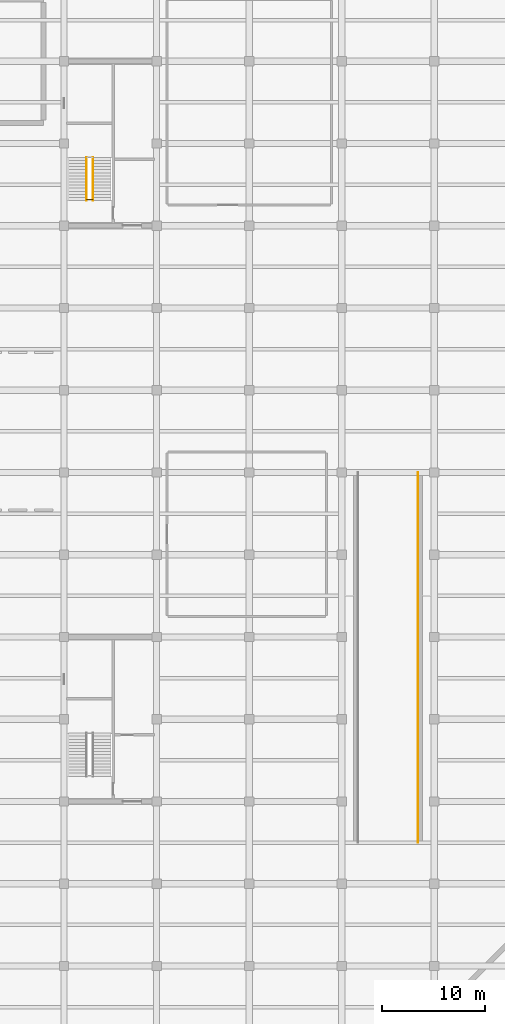
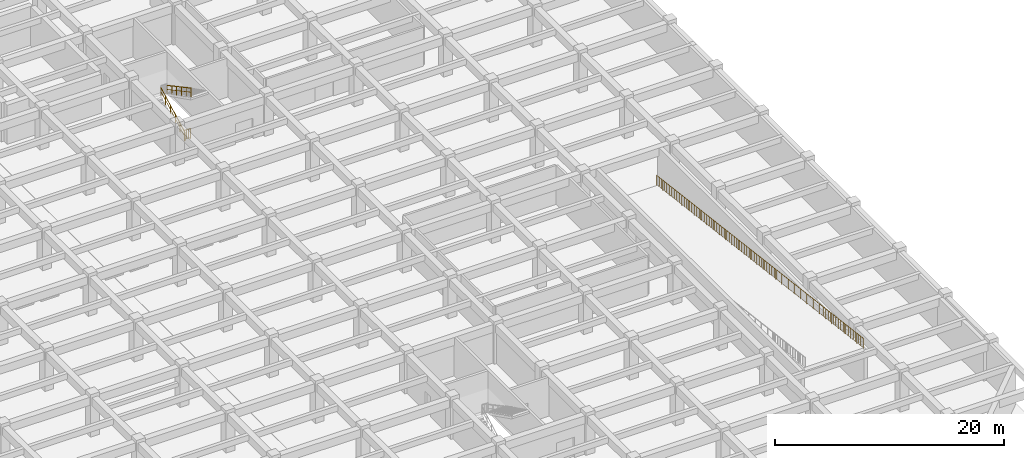
# One storey, part 25 of 26: 4 railings.
"""IFC4 building model written with IfcOpenShell, lengths in metres."""

from ifc_helpers import new_model, si_unit, direction, frame, origin, origin_2d, place, context, subcontext, project, spatial, circle, extrude, material, layer, layer_set, type_object, element, save


model = new_model("IFC4")

# Units and contexts
model_context = context("Model", 3, precision=1e-05, world=origin(), true_north=direction((0.0, 1.0)))
body_context = subcontext(model_context, "Body", "Model", "MODEL_VIEW")
ifc_project = project(units=[si_unit("LENGTHUNIT", "METRE"), si_unit("AREAUNIT", "SQUARE_METRE"), si_unit("VOLUMEUNIT", "CUBIC_METRE"), si_unit("PLANEANGLEUNIT", "RADIAN"), si_unit("MASSUNIT", "GRAM", prefix="KILO")], contexts=[model_context])

# Site, building, storey
site_placement = place(None, origin())
site = spatial("IfcSite", under=ifc_project, at=site_placement, CompositionType="ELEMENT")
building_placement = place(site_placement, origin())
building = spatial("IfcBuilding", under=site, at=building_placement, Name="Zaverband Oceanarium and Marine Research Institute", CompositionType="ELEMENT")
storey_placement = place(building_placement, frame((0.0, 0.0, -4.5)))
storey = spatial("IfcBuildingStorey", under=building, at=storey_placement, Name="B1", CompositionType="ELEMENT", Elevation=-4.5)

# Railings
ifc_material = material(Name="Steel S355", Category="steel")
ifc_layer_1 = layer(ifc_material, 0.06005859375, Name="Steel S355")
ifc_layer_set_1 = layer_set([ifc_layer_1], Name="Steel S355")
railing_type_1 = type_object("IfcRailingType", Name="GRD-1100", PredefinedType="BALUSTRADE", material=ifc_layer_set_1)
railing_1_placement = place(storey_placement, frame((137.18994140625, 82.530029296875, 0.0)))
element("IfcRailing", 1, at=railing_1_placement, inside=storey, type_object=railing_type_1, Name="1100 mm steel post-and-baluster safety guard GRD-1100", PredefinedType="BALUSTRADE", context=body_context, shape_type="SweptSolid", body=[
    extrude(circle(Radius=0.02392578125, at=origin_2d()), frame((0.0, 0.0, 1.076171875), z_axis=(1.0, 0.0, 0.0), x_axis=(0.0, 1.0, 0.0)), (0.0, 0.0, 1.0), 0.6201171875),
    extrude(circle(Radius=0.009033203125, at=origin_2d()), frame((0.0, 0.0, 0.10009765625), z_axis=(1.0, 0.0, 0.0), x_axis=(0.0, 1.0, 0.0)), (0.0, 0.0, 1.0), 0.6201171875),
    extrude(circle(Radius=0.009033203125, at=origin_2d()), frame((0.206787109375, 0.0, 0.10009765625)), (0.0, 0.0, 1.0), 0.951904296875),
    extrude(circle(Radius=0.009033203125, at=origin_2d()), frame((0.413330078125, 0.0, 0.10009765625)), (0.0, 0.0, 1.0), 0.951904296875),
    extrude(circle(Radius=0.02099609375, at=origin_2d()), origin(), (0.0, 0.0, 1.0), 1.052001953125),
    extrude(circle(Radius=0.02099609375, at=origin_2d()), frame((0.6201171875, 0.0, 0.0)), (0.0, 0.0, 1.0), 1.052001953125),
])
railing_2_placement = place(storey_placement, frame((169.419921875, 56.0, 0.0)))
element("IfcRailing", 2, at=railing_2_placement, inside=storey, type_object=railing_type_1, Name="1100 mm steel post-and-baluster safety guard GRD-1100", PredefinedType="BALUSTRADE", context=body_context, shape_type="SweptSolid", body=[
    extrude(circle(Radius=0.02392578125, at=origin_2d()), frame((0.0, 0.0, 1.076171875), z_axis=(0.0, -0.992277876714, 0.124034734589), x_axis=(1.0, 0.0, 0.0)), (0.0, 0.0, 1.0), 36.2802734375),
    extrude(circle(Radius=0.009033203125, at=origin_2d()), frame((0.0, 0.0, 0.10009765625), z_axis=(0.0, -0.992277876714, 0.124034734589), x_axis=(1.0, 0.0, 0.0)), (0.0, 0.0, 1.0), 36.2802734375),
    extrude(circle(Radius=0.009033203125, at=origin_2d()), frame((0.0, -0.21826171875, 0.12744140625)), (0.0, 0.0, 1.0), 0.951904296875),
    extrude(circle(Radius=0.009033203125, at=origin_2d()), frame((0.0, -0.436279296875, 0.154541015625)), (0.0, 0.0, 1.0), 0.951904296875),
    extrude(circle(Radius=0.009033203125, at=origin_2d()), frame((0.0, -0.654541015625, 0.181884765625)), (0.0, 0.0, 1.0), 0.951904296875),
    extrude(circle(Radius=0.009033203125, at=origin_2d()), frame((0.0, -0.872802734375, 0.209228515625)), (0.0, 0.0, 1.0), 0.951904296875),
    extrude(circle(Radius=0.009033203125, at=origin_2d()), frame((0.0, -1.0908203125, 0.236572265625)), (0.0, 0.0, 1.0), 0.951904296875),
    extrude(circle(Radius=0.009033203125, at=origin_2d()), frame((0.0, -1.30908203125, 0.263671875)), (0.0, 0.0, 1.0), 0.951904296875),
    extrude(circle(Radius=0.009033203125, at=origin_2d()), frame((0.0, -1.52734375, 0.291015625)), (0.0, 0.0, 1.0), 0.951904296875),
    extrude(circle(Radius=0.009033203125, at=origin_2d()), frame((0.0, -1.745361328125, 0.318359375)), (0.0, 0.0, 1.0), 0.951904296875),
    extrude(circle(Radius=0.009033203125, at=origin_2d()), frame((0.0, -1.963623046875, 0.345458984375)), (0.0, 0.0, 1.0), 0.951904296875),
    extrude(circle(Radius=0.009033203125, at=origin_2d()), frame((0.0, -2.181884765625, 0.372802734375)), (0.0, 0.0, 1.0), 0.951904296875),
    extrude(circle(Radius=0.009033203125, at=origin_2d()), frame((0.0, -2.39990234375, 0.400146484375)), (0.0, 0.0, 1.0), 0.951904296875),
    extrude(circle(Radius=0.009033203125, at=origin_2d()), frame((0.0, -2.6181640625, 0.427490234375)), (0.0, 0.0, 1.0), 0.951904296875),
    extrude(circle(Radius=0.009033203125, at=origin_2d()), frame((0.0, -2.83642578125, 0.45458984375)), (0.0, 0.0, 1.0), 0.951904296875),
    extrude(circle(Radius=0.009033203125, at=origin_2d()), frame((0.0, -3.054443359375, 0.48193359375)), (0.0, 0.0, 1.0), 0.951904296875),
    extrude(circle(Radius=0.009033203125, at=origin_2d()), frame((0.0, -3.272705078125, 0.50927734375)), (0.0, 0.0, 1.0), 0.951904296875),
    extrude(circle(Radius=0.009033203125, at=origin_2d()), frame((0.0, -3.490966796875, 0.536376953125)), (0.0, 0.0, 1.0), 0.951904296875),
    extrude(circle(Radius=0.009033203125, at=origin_2d()), frame((0.0, -3.708984375, 0.563720703125)), (0.0, 0.0, 1.0), 0.951904296875),
    extrude(circle(Radius=0.009033203125, at=origin_2d()), frame((0.0, -3.92724609375, 0.591064453125)), (0.0, 0.0, 1.0), 0.951904296875),
    extrude(circle(Radius=0.009033203125, at=origin_2d()), frame((0.0, -4.1455078125, 0.6181640625)), (0.0, 0.0, 1.0), 0.951904296875),
    extrude(circle(Radius=0.009033203125, at=origin_2d()), frame((0.0, -4.363525390625, 0.6455078125)), (0.0, 0.0, 1.0), 0.951904296875),
    extrude(circle(Radius=0.009033203125, at=origin_2d()), frame((0.0, -4.581787109375, 0.6728515625)), (0.0, 0.0, 1.0), 0.951904296875),
    extrude(circle(Radius=0.009033203125, at=origin_2d()), frame((0.0, -4.800048828125, 0.7001953125)), (0.0, 0.0, 1.0), 0.951904296875),
    extrude(circle(Radius=0.009033203125, at=origin_2d()), frame((0.0, -5.01806640625, 0.727294921875)), (0.0, 0.0, 1.0), 0.951904296875),
    extrude(circle(Radius=0.009033203125, at=origin_2d()), frame((0.0, -5.236328125, 0.754638671875)), (0.0, 0.0, 1.0), 0.951904296875),
    extrude(circle(Radius=0.009033203125, at=origin_2d()), frame((0.0, -5.45458984375, 0.781982421875)), (0.0, 0.0, 1.0), 0.951904296875),
    extrude(circle(Radius=0.009033203125, at=origin_2d()), frame((0.0, -5.672607421875, 0.80908203125)), (0.0, 0.0, 1.0), 0.951904296875),
    extrude(circle(Radius=0.009033203125, at=origin_2d()), frame((0.0, -5.890869140625, 0.83642578125)), (0.0, 0.0, 1.0), 0.951904296875),
    extrude(circle(Radius=0.009033203125, at=origin_2d()), frame((0.0, -6.109130859375, 0.86376953125)), (0.0, 0.0, 1.0), 0.951904296875),
    extrude(circle(Radius=0.009033203125, at=origin_2d()), frame((0.0, -6.327392578125, 0.89111328125)), (0.0, 0.0, 1.0), 0.951904296875),
    extrude(circle(Radius=0.009033203125, at=origin_2d()), frame((0.0, -6.54541015625, 0.918212890625)), (0.0, 0.0, 1.0), 0.951904296875),
    extrude(circle(Radius=0.009033203125, at=origin_2d()), frame((0.0, -6.763671875, 0.945556640625)), (0.0, 0.0, 1.0), 0.951904296875),
    extrude(circle(Radius=0.009033203125, at=origin_2d()), frame((0.0, -6.98193359375, 0.972900390625)), (0.0, 0.0, 1.0), 0.951904296875),
    extrude(circle(Radius=0.009033203125, at=origin_2d()), frame((0.0, -7.199951171875, 1.0)), (0.0, 0.0, 1.0), 0.951904296875),
    extrude(circle(Radius=0.009033203125, at=origin_2d()), frame((0.0, -7.418212890625, 1.02734375)), (0.0, 0.0, 1.0), 0.951904296875),
    extrude(circle(Radius=0.009033203125, at=origin_2d()), frame((0.0, -7.636474609375, 1.0546875)), (0.0, 0.0, 1.0), 0.951904296875),
    extrude(circle(Radius=0.009033203125, at=origin_2d()), frame((0.0, -7.8544921875, 1.08203125)), (0.0, 0.0, 1.0), 0.951904296875),
    extrude(circle(Radius=0.009033203125, at=origin_2d()), frame((0.0, -8.07275390625, 1.109130859375)), (0.0, 0.0, 1.0), 0.951904296875),
    extrude(circle(Radius=0.009033203125, at=origin_2d()), frame((0.0, -8.291015625, 1.136474609375)), (0.0, 0.0, 1.0), 0.951904296875),
    extrude(circle(Radius=0.009033203125, at=origin_2d()), frame((0.0, -8.509033203125, 1.163818359375)), (0.0, 0.0, 1.0), 0.951904296875),
    extrude(circle(Radius=0.009033203125, at=origin_2d()), frame((0.0, -8.727294921875, 1.19091796875)), (0.0, 0.0, 1.0), 0.951904296875),
    extrude(circle(Radius=0.009033203125, at=origin_2d()), frame((0.0, -8.945556640625, 1.21826171875)), (0.0, 0.0, 1.0), 0.951904296875),
    extrude(circle(Radius=0.009033203125, at=origin_2d()), frame((0.0, -9.16357421875, 1.24560546875)), (0.0, 0.0, 1.0), 0.951904296875),
    extrude(circle(Radius=0.009033203125, at=origin_2d()), frame((0.0, -9.3818359375, 1.272705078125)), (0.0, 0.0, 1.0), 0.951904296875),
    extrude(circle(Radius=0.009033203125, at=origin_2d()), frame((0.0, -9.60009765625, 1.300048828125)), (0.0, 0.0, 1.0), 0.951904296875),
    extrude(circle(Radius=0.009033203125, at=origin_2d()), frame((0.0, -9.818115234375, 1.327392578125)), (0.0, 0.0, 1.0), 0.951904296875),
    extrude(circle(Radius=0.009033203125, at=origin_2d()), frame((0.0, -10.036376953125, 1.354736328125)), (0.0, 0.0, 1.0), 0.951904296875),
    extrude(circle(Radius=0.009033203125, at=origin_2d()), frame((0.0, -10.254638671875, 1.3818359375)), (0.0, 0.0, 1.0), 0.951904296875),
    extrude(circle(Radius=0.009033203125, at=origin_2d()), frame((0.0, -10.47265625, 1.4091796875)), (0.0, 0.0, 1.0), 0.951904296875),
    extrude(circle(Radius=0.009033203125, at=origin_2d()), frame((0.0, -10.69091796875, 1.4365234375)), (0.0, 0.0, 1.0), 0.951904296875),
    extrude(circle(Radius=0.009033203125, at=origin_2d()), frame((0.0, -10.9091796875, 1.463623046875)), (0.0, 0.0, 1.0), 0.951904296875),
    extrude(circle(Radius=0.009033203125, at=origin_2d()), frame((0.0, -11.127197265625, 1.490966796875)), (0.0, 0.0, 1.0), 0.951904296875),
    extrude(circle(Radius=0.009033203125, at=origin_2d()), frame((0.0, -11.345458984375, 1.518310546875)), (0.0, 0.0, 1.0), 0.951904296875),
    extrude(circle(Radius=0.009033203125, at=origin_2d()), frame((0.0, -11.563720703125, 1.545654296875)), (0.0, 0.0, 1.0), 0.951904296875),
    extrude(circle(Radius=0.009033203125, at=origin_2d()), frame((0.0, -11.78173828125, 1.57275390625)), (0.0, 0.0, 1.0), 0.951904296875),
    extrude(circle(Radius=0.009033203125, at=origin_2d()), frame((0.0, -12.0, 1.60009765625)), (0.0, 0.0, 1.0), 0.951904296875),
    extrude(circle(Radius=0.009033203125, at=origin_2d()), frame((0.0, -12.21826171875, 1.62744140625)), (0.0, 0.0, 1.0), 0.951904296875),
    extrude(circle(Radius=0.009033203125, at=origin_2d()), frame((0.0, -12.436279296875, 1.654541015625)), (0.0, 0.0, 1.0), 0.951904296875),
    extrude(circle(Radius=0.009033203125, at=origin_2d()), frame((0.0, -12.654541015625, 1.681884765625)), (0.0, 0.0, 1.0), 0.951904296875),
    extrude(circle(Radius=0.009033203125, at=origin_2d()), frame((0.0, -12.872802734375, 1.709228515625)), (0.0, 0.0, 1.0), 0.951904296875),
    extrude(circle(Radius=0.009033203125, at=origin_2d()), frame((0.0, -13.0908203125, 1.736572265625)), (0.0, 0.0, 1.0), 0.951904296875),
    extrude(circle(Radius=0.009033203125, at=origin_2d()), frame((0.0, -13.30908203125, 1.763671875)), (0.0, 0.0, 1.0), 0.951904296875),
    extrude(circle(Radius=0.009033203125, at=origin_2d()), frame((0.0, -13.52734375, 1.791015625)), (0.0, 0.0, 1.0), 0.951904296875),
    extrude(circle(Radius=0.009033203125, at=origin_2d()), frame((0.0, -13.745361328125, 1.818359375)), (0.0, 0.0, 1.0), 0.951904296875),
    extrude(circle(Radius=0.009033203125, at=origin_2d()), frame((0.0, -13.963623046875, 1.845458984375)), (0.0, 0.0, 1.0), 0.951904296875),
    extrude(circle(Radius=0.009033203125, at=origin_2d()), frame((0.0, -14.181884765625, 1.872802734375)), (0.0, 0.0, 1.0), 0.951904296875),
    extrude(circle(Radius=0.009033203125, at=origin_2d()), frame((0.0, -14.39990234375, 1.900146484375)), (0.0, 0.0, 1.0), 0.951904296875),
    extrude(circle(Radius=0.009033203125, at=origin_2d()), frame((0.0, -14.6181640625, 1.927490234375)), (0.0, 0.0, 1.0), 0.951904296875),
    extrude(circle(Radius=0.009033203125, at=origin_2d()), frame((0.0, -14.83642578125, 1.95458984375)), (0.0, 0.0, 1.0), 0.951904296875),
    extrude(circle(Radius=0.009033203125, at=origin_2d()), frame((0.0, -15.054443359375, 1.98193359375)), (0.0, 0.0, 1.0), 0.951904296875),
    extrude(circle(Radius=0.009033203125, at=origin_2d()), frame((0.0, -15.272705078125, 2.00927734375)), (0.0, 0.0, 1.0), 0.951904296875),
    extrude(circle(Radius=0.009033203125, at=origin_2d()), frame((0.0, -15.490966796875, 2.036376953125)), (0.0, 0.0, 1.0), 0.951904296875),
    extrude(circle(Radius=0.009033203125, at=origin_2d()), frame((0.0, -15.708984375, 2.063720703125)), (0.0, 0.0, 1.0), 0.951904296875),
    extrude(circle(Radius=0.009033203125, at=origin_2d()), frame((0.0, -15.92724609375, 2.091064453125)), (0.0, 0.0, 1.0), 0.951904296875),
    extrude(circle(Radius=0.009033203125, at=origin_2d()), frame((0.0, -16.1455078125, 2.1181640625)), (0.0, 0.0, 1.0), 0.951904296875),
    extrude(circle(Radius=0.009033203125, at=origin_2d()), frame((0.0, -16.363525390625, 2.1455078125)), (0.0, 0.0, 1.0), 0.951904296875),
    extrude(circle(Radius=0.009033203125, at=origin_2d()), frame((0.0, -16.581787109375, 2.1728515625)), (0.0, 0.0, 1.0), 0.951904296875),
    extrude(circle(Radius=0.009033203125, at=origin_2d()), frame((0.0, -16.800048828125, 2.2001953125)), (0.0, 0.0, 1.0), 0.951904296875),
    extrude(circle(Radius=0.009033203125, at=origin_2d()), frame((0.0, -17.01806640625, 2.227294921875)), (0.0, 0.0, 1.0), 0.951904296875),
    extrude(circle(Radius=0.009033203125, at=origin_2d()), frame((0.0, -17.236328125, 2.254638671875)), (0.0, 0.0, 1.0), 0.951904296875),
    extrude(circle(Radius=0.009033203125, at=origin_2d()), frame((0.0, -17.45458984375, 2.281982421875)), (0.0, 0.0, 1.0), 0.951904296875),
    extrude(circle(Radius=0.009033203125, at=origin_2d()), frame((0.0, -17.672607421875, 2.30908203125)), (0.0, 0.0, 1.0), 0.951904296875),
    extrude(circle(Radius=0.009033203125, at=origin_2d()), frame((0.0, -17.890869140625, 2.33642578125)), (0.0, 0.0, 1.0), 0.951904296875),
    extrude(circle(Radius=0.009033203125, at=origin_2d()), frame((0.0, -18.109130859375, 2.36376953125)), (0.0, 0.0, 1.0), 0.951904296875),
    extrude(circle(Radius=0.009033203125, at=origin_2d()), frame((0.0, -18.327392578125, 2.39111328125)), (0.0, 0.0, 1.0), 0.951904296875),
    extrude(circle(Radius=0.009033203125, at=origin_2d()), frame((0.0, -18.54541015625, 2.418212890625)), (0.0, 0.0, 1.0), 0.951904296875),
    extrude(circle(Radius=0.009033203125, at=origin_2d()), frame((0.0, -18.763671875, 2.445556640625)), (0.0, 0.0, 1.0), 0.951904296875),
    extrude(circle(Radius=0.009033203125, at=origin_2d()), frame((0.0, -18.98193359375, 2.472900390625)), (0.0, 0.0, 1.0), 0.951904296875),
    extrude(circle(Radius=0.009033203125, at=origin_2d()), frame((0.0, -19.199951171875, 2.5)), (0.0, 0.0, 1.0), 0.951904296875),
    extrude(circle(Radius=0.009033203125, at=origin_2d()), frame((0.0, -19.418212890625, 2.52734375)), (0.0, 0.0, 1.0), 0.951904296875),
    extrude(circle(Radius=0.009033203125, at=origin_2d()), frame((0.0, -19.636474609375, 2.5546875)), (0.0, 0.0, 1.0), 0.951904296875),
    extrude(circle(Radius=0.009033203125, at=origin_2d()), frame((0.0, -19.8544921875, 2.58203125)), (0.0, 0.0, 1.0), 0.951904296875),
    extrude(circle(Radius=0.009033203125, at=origin_2d()), frame((0.0, -20.07275390625, 2.609130859375)), (0.0, 0.0, 1.0), 0.951904296875),
    extrude(circle(Radius=0.009033203125, at=origin_2d()), frame((0.0, -20.291015625, 2.636474609375)), (0.0, 0.0, 1.0), 0.951904296875),
    extrude(circle(Radius=0.009033203125, at=origin_2d()), frame((0.0, -20.509033203125, 2.663818359375)), (0.0, 0.0, 1.0), 0.951904296875),
    extrude(circle(Radius=0.009033203125, at=origin_2d()), frame((0.0, -20.727294921875, 2.69091796875)), (0.0, 0.0, 1.0), 0.951904296875),
    extrude(circle(Radius=0.009033203125, at=origin_2d()), frame((0.0, -20.945556640625, 2.71826171875)), (0.0, 0.0, 1.0), 0.951904296875),
    extrude(circle(Radius=0.009033203125, at=origin_2d()), frame((0.0, -21.16357421875, 2.74560546875)), (0.0, 0.0, 1.0), 0.951904296875),
    extrude(circle(Radius=0.009033203125, at=origin_2d()), frame((0.0, -21.3818359375, 2.772705078125)), (0.0, 0.0, 1.0), 0.951904296875),
    extrude(circle(Radius=0.009033203125, at=origin_2d()), frame((0.0, -21.60009765625, 2.800048828125)), (0.0, 0.0, 1.0), 0.951904296875),
    extrude(circle(Radius=0.009033203125, at=origin_2d()), frame((0.0, -21.818115234375, 2.827392578125)), (0.0, 0.0, 1.0), 0.951904296875),
    extrude(circle(Radius=0.009033203125, at=origin_2d()), frame((0.0, -22.036376953125, 2.854736328125)), (0.0, 0.0, 1.0), 0.951904296875),
    extrude(circle(Radius=0.009033203125, at=origin_2d()), frame((0.0, -22.254638671875, 2.8818359375)), (0.0, 0.0, 1.0), 0.951904296875),
    extrude(circle(Radius=0.009033203125, at=origin_2d()), frame((0.0, -22.47265625, 2.9091796875)), (0.0, 0.0, 1.0), 0.951904296875),
    extrude(circle(Radius=0.009033203125, at=origin_2d()), frame((0.0, -22.69091796875, 2.9365234375)), (0.0, 0.0, 1.0), 0.951904296875),
    extrude(circle(Radius=0.009033203125, at=origin_2d()), frame((0.0, -22.9091796875, 2.963623046875)), (0.0, 0.0, 1.0), 0.951904296875),
    extrude(circle(Radius=0.009033203125, at=origin_2d()), frame((0.0, -23.127197265625, 2.990966796875)), (0.0, 0.0, 1.0), 0.951904296875),
    extrude(circle(Radius=0.009033203125, at=origin_2d()), frame((0.0, -23.345458984375, 3.018310546875)), (0.0, 0.0, 1.0), 0.951904296875),
    extrude(circle(Radius=0.009033203125, at=origin_2d()), frame((0.0, -23.563720703125, 3.045654296875)), (0.0, 0.0, 1.0), 0.951904296875),
    extrude(circle(Radius=0.009033203125, at=origin_2d()), frame((0.0, -23.78173828125, 3.07275390625)), (0.0, 0.0, 1.0), 0.951904296875),
    extrude(circle(Radius=0.009033203125, at=origin_2d()), frame((0.0, -24.0, 3.10009765625)), (0.0, 0.0, 1.0), 0.951904296875),
    extrude(circle(Radius=0.009033203125, at=origin_2d()), frame((0.0, -24.21826171875, 3.12744140625)), (0.0, 0.0, 1.0), 0.951904296875),
    extrude(circle(Radius=0.009033203125, at=origin_2d()), frame((0.0, -24.436279296875, 3.154541015625)), (0.0, 0.0, 1.0), 0.951904296875),
    extrude(circle(Radius=0.009033203125, at=origin_2d()), frame((0.0, -24.654541015625, 3.181884765625)), (0.0, 0.0, 1.0), 0.951904296875),
    extrude(circle(Radius=0.009033203125, at=origin_2d()), frame((0.0, -24.872802734375, 3.209228515625)), (0.0, 0.0, 1.0), 0.951904296875),
    extrude(circle(Radius=0.009033203125, at=origin_2d()), frame((0.0, -25.0908203125, 3.236572265625)), (0.0, 0.0, 1.0), 0.951904296875),
    extrude(circle(Radius=0.009033203125, at=origin_2d()), frame((0.0, -25.30908203125, 3.263671875)), (0.0, 0.0, 1.0), 0.951904296875),
    extrude(circle(Radius=0.009033203125, at=origin_2d()), frame((0.0, -25.52734375, 3.291015625)), (0.0, 0.0, 1.0), 0.951904296875),
    extrude(circle(Radius=0.009033203125, at=origin_2d()), frame((0.0, -25.745361328125, 3.318359375)), (0.0, 0.0, 1.0), 0.951904296875),
    extrude(circle(Radius=0.009033203125, at=origin_2d()), frame((0.0, -25.963623046875, 3.345458984375)), (0.0, 0.0, 1.0), 0.951904296875),
    extrude(circle(Radius=0.009033203125, at=origin_2d()), frame((0.0, -26.181884765625, 3.372802734375)), (0.0, 0.0, 1.0), 0.951904296875),
    extrude(circle(Radius=0.009033203125, at=origin_2d()), frame((0.0, -26.39990234375, 3.400146484375)), (0.0, 0.0, 1.0), 0.951904296875),
    extrude(circle(Radius=0.009033203125, at=origin_2d()), frame((0.0, -26.6181640625, 3.427490234375)), (0.0, 0.0, 1.0), 0.951904296875),
    extrude(circle(Radius=0.009033203125, at=origin_2d()), frame((0.0, -26.83642578125, 3.45458984375)), (0.0, 0.0, 1.0), 0.951904296875),
    extrude(circle(Radius=0.009033203125, at=origin_2d()), frame((0.0, -27.054443359375, 3.48193359375)), (0.0, 0.0, 1.0), 0.951904296875),
    extrude(circle(Radius=0.009033203125, at=origin_2d()), frame((0.0, -27.272705078125, 3.50927734375)), (0.0, 0.0, 1.0), 0.951904296875),
    extrude(circle(Radius=0.009033203125, at=origin_2d()), frame((0.0, -27.490966796875, 3.536376953125)), (0.0, 0.0, 1.0), 0.951904296875),
    extrude(circle(Radius=0.009033203125, at=origin_2d()), frame((0.0, -27.708984375, 3.563720703125)), (0.0, 0.0, 1.0), 0.951904296875),
    extrude(circle(Radius=0.009033203125, at=origin_2d()), frame((0.0, -27.92724609375, 3.591064453125)), (0.0, 0.0, 1.0), 0.951904296875),
    extrude(circle(Radius=0.009033203125, at=origin_2d()), frame((0.0, -28.1455078125, 3.6181640625)), (0.0, 0.0, 1.0), 0.951904296875),
    extrude(circle(Radius=0.009033203125, at=origin_2d()), frame((0.0, -28.363525390625, 3.6455078125)), (0.0, 0.0, 1.0), 0.951904296875),
    extrude(circle(Radius=0.009033203125, at=origin_2d()), frame((0.0, -28.581787109375, 3.6728515625)), (0.0, 0.0, 1.0), 0.951904296875),
    extrude(circle(Radius=0.009033203125, at=origin_2d()), frame((0.0, -28.800048828125, 3.7001953125)), (0.0, 0.0, 1.0), 0.951904296875),
    extrude(circle(Radius=0.009033203125, at=origin_2d()), frame((0.0, -29.01806640625, 3.727294921875)), (0.0, 0.0, 1.0), 0.951904296875),
    extrude(circle(Radius=0.009033203125, at=origin_2d()), frame((0.0, -29.236328125, 3.754638671875)), (0.0, 0.0, 1.0), 0.951904296875),
    extrude(circle(Radius=0.009033203125, at=origin_2d()), frame((0.0, -29.45458984375, 3.781982421875)), (0.0, 0.0, 1.0), 0.951904296875),
    extrude(circle(Radius=0.009033203125, at=origin_2d()), frame((0.0, -29.672607421875, 3.80908203125)), (0.0, 0.0, 1.0), 0.951904296875),
    extrude(circle(Radius=0.009033203125, at=origin_2d()), frame((0.0, -29.890869140625, 3.83642578125)), (0.0, 0.0, 1.0), 0.951904296875),
    extrude(circle(Radius=0.009033203125, at=origin_2d()), frame((0.0, -30.109130859375, 3.86376953125)), (0.0, 0.0, 1.0), 0.951904296875),
    extrude(circle(Radius=0.009033203125, at=origin_2d()), frame((0.0, -30.327392578125, 3.89111328125)), (0.0, 0.0, 1.0), 0.951904296875),
    extrude(circle(Radius=0.009033203125, at=origin_2d()), frame((0.0, -30.54541015625, 3.918212890625)), (0.0, 0.0, 1.0), 0.951904296875),
    extrude(circle(Radius=0.009033203125, at=origin_2d()), frame((0.0, -30.763671875, 3.945556640625)), (0.0, 0.0, 1.0), 0.951904296875),
    extrude(circle(Radius=0.009033203125, at=origin_2d()), frame((0.0, -30.98193359375, 3.972900390625)), (0.0, 0.0, 1.0), 0.951904296875),
    extrude(circle(Radius=0.009033203125, at=origin_2d()), frame((0.0, -31.199951171875, 4.0)), (0.0, 0.0, 1.0), 0.951904296875),
    extrude(circle(Radius=0.009033203125, at=origin_2d()), frame((0.0, -31.418212890625, 4.02734375)), (0.0, 0.0, 1.0), 0.951904296875),
    extrude(circle(Radius=0.009033203125, at=origin_2d()), frame((0.0, -31.636474609375, 4.0546875)), (0.0, 0.0, 1.0), 0.951904296875),
    extrude(circle(Radius=0.009033203125, at=origin_2d()), frame((0.0, -31.8544921875, 4.08203125)), (0.0, 0.0, 1.0), 0.951904296875),
    extrude(circle(Radius=0.009033203125, at=origin_2d()), frame((0.0, -32.07275390625, 4.109130859375)), (0.0, 0.0, 1.0), 0.951904296875),
    extrude(circle(Radius=0.009033203125, at=origin_2d()), frame((0.0, -32.291015625, 4.136474609375)), (0.0, 0.0, 1.0), 0.951904296875),
    extrude(circle(Radius=0.009033203125, at=origin_2d()), frame((0.0, -32.509033203125, 4.163818359375)), (0.0, 0.0, 1.0), 0.951904296875),
    extrude(circle(Radius=0.009033203125, at=origin_2d()), frame((0.0, -32.727294921875, 4.19091796875)), (0.0, 0.0, 1.0), 0.951904296875),
    extrude(circle(Radius=0.009033203125, at=origin_2d()), frame((0.0, -32.945556640625, 4.21826171875)), (0.0, 0.0, 1.0), 0.951904296875),
    extrude(circle(Radius=0.009033203125, at=origin_2d()), frame((0.0, -33.16357421875, 4.24560546875)), (0.0, 0.0, 1.0), 0.951904296875),
    extrude(circle(Radius=0.009033203125, at=origin_2d()), frame((0.0, -33.3818359375, 4.272705078125)), (0.0, 0.0, 1.0), 0.951904296875),
    extrude(circle(Radius=0.009033203125, at=origin_2d()), frame((0.0, -33.60009765625, 4.300048828125)), (0.0, 0.0, 1.0), 0.951904296875),
    extrude(circle(Radius=0.009033203125, at=origin_2d()), frame((0.0, -33.818115234375, 4.327392578125)), (0.0, 0.0, 1.0), 0.951904296875),
    extrude(circle(Radius=0.009033203125, at=origin_2d()), frame((0.0, -34.036376953125, 4.354736328125)), (0.0, 0.0, 1.0), 0.951904296875),
    extrude(circle(Radius=0.009033203125, at=origin_2d()), frame((0.0, -34.254638671875, 4.3818359375)), (0.0, 0.0, 1.0), 0.951904296875),
    extrude(circle(Radius=0.009033203125, at=origin_2d()), frame((0.0, -34.47265625, 4.4091796875)), (0.0, 0.0, 1.0), 0.951904296875),
    extrude(circle(Radius=0.009033203125, at=origin_2d()), frame((0.0, -34.69091796875, 4.4365234375)), (0.0, 0.0, 1.0), 0.951904296875),
    extrude(circle(Radius=0.009033203125, at=origin_2d()), frame((0.0, -34.9091796875, 4.463623046875)), (0.0, 0.0, 1.0), 0.951904296875),
    extrude(circle(Radius=0.009033203125, at=origin_2d()), frame((0.0, -35.127197265625, 4.490966796875)), (0.0, 0.0, 1.0), 0.951904296875),
    extrude(circle(Radius=0.009033203125, at=origin_2d()), frame((0.0, -35.345458984375, 4.518310546875)), (0.0, 0.0, 1.0), 0.951904296875),
    extrude(circle(Radius=0.009033203125, at=origin_2d()), frame((0.0, -35.563720703125, 4.545654296875)), (0.0, 0.0, 1.0), 0.951904296875),
    extrude(circle(Radius=0.009033203125, at=origin_2d()), frame((0.0, -35.78173828125, 4.57275390625)), (0.0, 0.0, 1.0), 0.951904296875),
    extrude(circle(Radius=0.02099609375, at=origin_2d()), origin(), (0.0, 0.0, 1.0), 1.052001953125),
    extrude(circle(Radius=0.02099609375, at=origin_2d()), frame((0.0, -1.0908203125, 0.136474609375)), (0.0, 0.0, 1.0), 1.052001953125),
    extrude(circle(Radius=0.02099609375, at=origin_2d()), frame((0.0, -2.181884765625, 0.272705078125)), (0.0, 0.0, 1.0), 1.052001953125),
    extrude(circle(Radius=0.02099609375, at=origin_2d()), frame((0.0, -3.272705078125, 0.4091796875)), (0.0, 0.0, 1.0), 1.052001953125),
    extrude(circle(Radius=0.02099609375, at=origin_2d()), frame((0.0, -4.363525390625, 0.54541015625)), (0.0, 0.0, 1.0), 1.052001953125),
    extrude(circle(Radius=0.02099609375, at=origin_2d()), frame((0.0, -5.45458984375, 0.681884765625)), (0.0, 0.0, 1.0), 1.052001953125),
    extrude(circle(Radius=0.02099609375, at=origin_2d()), frame((0.0, -6.54541015625, 0.818115234375)), (0.0, 0.0, 1.0), 1.052001953125),
    extrude(circle(Radius=0.02099609375, at=origin_2d()), frame((0.0, -7.636474609375, 0.95458984375)), (0.0, 0.0, 1.0), 1.052001953125),
    extrude(circle(Radius=0.02099609375, at=origin_2d()), frame((0.0, -8.727294921875, 1.0908203125)), (0.0, 0.0, 1.0), 1.052001953125),
    extrude(circle(Radius=0.02099609375, at=origin_2d()), frame((0.0, -9.818115234375, 1.227294921875)), (0.0, 0.0, 1.0), 1.052001953125),
    extrude(circle(Radius=0.02099609375, at=origin_2d()), frame((0.0, -10.9091796875, 1.363525390625)), (0.0, 0.0, 1.0), 1.052001953125),
    extrude(circle(Radius=0.02099609375, at=origin_2d()), frame((0.0, -12.0, 1.5)), (0.0, 0.0, 1.0), 1.052001953125),
    extrude(circle(Radius=0.02099609375, at=origin_2d()), frame((0.0, -13.0908203125, 1.636474609375)), (0.0, 0.0, 1.0), 1.052001953125),
    extrude(circle(Radius=0.02099609375, at=origin_2d()), frame((0.0, -14.181884765625, 1.772705078125)), (0.0, 0.0, 1.0), 1.052001953125),
    extrude(circle(Radius=0.02099609375, at=origin_2d()), frame((0.0, -15.272705078125, 1.9091796875)), (0.0, 0.0, 1.0), 1.052001953125),
    extrude(circle(Radius=0.02099609375, at=origin_2d()), frame((0.0, -16.363525390625, 2.04541015625)), (0.0, 0.0, 1.0), 1.052001953125),
    extrude(circle(Radius=0.02099609375, at=origin_2d()), frame((0.0, -17.45458984375, 2.181884765625)), (0.0, 0.0, 1.0), 1.052001953125),
    extrude(circle(Radius=0.02099609375, at=origin_2d()), frame((0.0, -18.54541015625, 2.318115234375)), (0.0, 0.0, 1.0), 1.052001953125),
    extrude(circle(Radius=0.02099609375, at=origin_2d()), frame((0.0, -19.636474609375, 2.45458984375)), (0.0, 0.0, 1.0), 1.052001953125),
    extrude(circle(Radius=0.02099609375, at=origin_2d()), frame((0.0, -20.727294921875, 2.5908203125)), (0.0, 0.0, 1.0), 1.052001953125),
    extrude(circle(Radius=0.02099609375, at=origin_2d()), frame((0.0, -21.818115234375, 2.727294921875)), (0.0, 0.0, 1.0), 1.052001953125),
    extrude(circle(Radius=0.02099609375, at=origin_2d()), frame((0.0, -22.9091796875, 2.863525390625)), (0.0, 0.0, 1.0), 1.052001953125),
    extrude(circle(Radius=0.02099609375, at=origin_2d()), frame((0.0, -24.0, 3.0)), (0.0, 0.0, 1.0), 1.052001953125),
    extrude(circle(Radius=0.02099609375, at=origin_2d()), frame((0.0, -25.0908203125, 3.136474609375)), (0.0, 0.0, 1.0), 1.052001953125),
    extrude(circle(Radius=0.02099609375, at=origin_2d()), frame((0.0, -26.181884765625, 3.272705078125)), (0.0, 0.0, 1.0), 1.052001953125),
    extrude(circle(Radius=0.02099609375, at=origin_2d()), frame((0.0, -27.272705078125, 3.4091796875)), (0.0, 0.0, 1.0), 1.052001953125),
    extrude(circle(Radius=0.02099609375, at=origin_2d()), frame((0.0, -28.363525390625, 3.54541015625)), (0.0, 0.0, 1.0), 1.052001953125),
    extrude(circle(Radius=0.02099609375, at=origin_2d()), frame((0.0, -29.45458984375, 3.681884765625)), (0.0, 0.0, 1.0), 1.052001953125),
    extrude(circle(Radius=0.02099609375, at=origin_2d()), frame((0.0, -30.54541015625, 3.818115234375)), (0.0, 0.0, 1.0), 1.052001953125),
    extrude(circle(Radius=0.02099609375, at=origin_2d()), frame((0.0, -31.636474609375, 3.95458984375)), (0.0, 0.0, 1.0), 1.052001953125),
    extrude(circle(Radius=0.02099609375, at=origin_2d()), frame((0.0, -32.727294921875, 4.0908203125)), (0.0, 0.0, 1.0), 1.052001953125),
    extrude(circle(Radius=0.02099609375, at=origin_2d()), frame((0.0, -33.818115234375, 4.227294921875)), (0.0, 0.0, 1.0), 1.052001953125),
    extrude(circle(Radius=0.02099609375, at=origin_2d()), frame((0.0, -34.9091796875, 4.363525390625)), (0.0, 0.0, 1.0), 1.052001953125),
    extrude(circle(Radius=0.02099609375, at=origin_2d()), frame((0.0, -36.0, 4.5)), (0.0, 0.0, 1.0), 1.052001953125),
])
ifc_layer_2 = layer(ifc_material, 0.050048828125, Name="Steel S355")
ifc_layer_set_2 = layer_set([ifc_layer_2], Name="Steel S355")
railing_type_2 = type_object("IfcRailingType", Name="HR-920", PredefinedType="HANDRAIL", material=ifc_layer_set_2)
railing_3_placement = place(storey_placement, frame((137.18994140625, 82.449951171875, 0.0)))
element("IfcRailing", 3, at=railing_3_placement, inside=storey, type_object=railing_type_2, Name="920 mm continuous tubular stair and ramp handrail HR-920", PredefinedType="HANDRAIL", context=body_context, shape_type="SweptSolid", body=[
    extrude(circle(Radius=0.02392578125, at=origin_2d()), frame((0.0, 0.0, 0.89599609375), z_axis=(0.0, 0.881477684796, 0.472225678258), x_axis=(-1.0, 0.0, 0.0)), (0.0, 0.0, 1.0), 4.7646484375),
    extrude(circle(Radius=0.009033203125, at=origin_2d()), frame((0.0, 0.0, 0.4599609375), z_axis=(0.0, 0.881477684796, 0.472225678258), x_axis=(-1.0, 0.0, 0.0)), (0.0, 0.0, 1.0), 4.7646484375),
    extrude(circle(Radius=0.02099609375, at=origin_2d()), origin(), (0.0, 0.0, 1.0), 0.871826171875),
    extrude(circle(Radius=0.02099609375, at=origin_2d()), frame((0.0, 0.840087890625, 0.449951171875)), (0.0, 0.0, 1.0), 0.871826171875),
    extrude(circle(Radius=0.02099609375, at=origin_2d()), frame((0.0, 1.679931640625, 0.89990234375)), (0.0, 0.0, 1.0), 0.871826171875),
    extrude(circle(Radius=0.02099609375, at=origin_2d()), frame((0.0, 2.52001953125, 1.35009765625)), (0.0, 0.0, 1.0), 0.871826171875),
    extrude(circle(Radius=0.02099609375, at=origin_2d()), frame((0.0, 3.35986328125, 1.800048828125)), (0.0, 0.0, 1.0), 0.871826171875),
    extrude(circle(Radius=0.02099609375, at=origin_2d()), frame((0.0, 4.199951171875, 2.25)), (0.0, 0.0, 1.0), 0.871826171875),
])
railing_4_placement = place(storey_placement, frame((137.81005859375, 86.64990234375, 2.25)))
element("IfcRailing", 4, at=railing_4_placement, inside=storey, type_object=railing_type_2, Name="920 mm continuous tubular stair and ramp handrail HR-920", PredefinedType="HANDRAIL", context=body_context, shape_type="SweptSolid", body=[
    extrude(circle(Radius=0.02392578125, at=origin_2d()), frame((0.0, 0.0, 0.89599609375), z_axis=(0.0, -0.881477684796, 0.472225678258), x_axis=(1.0, 0.0, 0.0)), (0.0, 0.0, 1.0), 4.7646484375),
    extrude(circle(Radius=0.009033203125, at=origin_2d()), frame((0.0, 0.0, 0.4599609375), z_axis=(0.0, -0.881477684796, 0.472225678258), x_axis=(1.0, 0.0, 0.0)), (0.0, 0.0, 1.0), 4.7646484375),
    extrude(circle(Radius=0.02099609375, at=origin_2d()), origin(), (0.0, 0.0, 1.0), 0.871826171875),
    extrude(circle(Radius=0.02099609375, at=origin_2d()), frame((0.0, -0.840087890625, 0.449951171875)), (0.0, 0.0, 1.0), 0.871826171875),
    extrude(circle(Radius=0.02099609375, at=origin_2d()), frame((0.0, -1.679931640625, 0.89990234375)), (0.0, 0.0, 1.0), 0.871826171875),
    extrude(circle(Radius=0.02099609375, at=origin_2d()), frame((0.0, -2.52001953125, 1.35009765625)), (0.0, 0.0, 1.0), 0.871826171875),
    extrude(circle(Radius=0.02099609375, at=origin_2d()), frame((0.0, -3.35986328125, 1.800048828125)), (0.0, 0.0, 1.0), 0.871826171875),
    extrude(circle(Radius=0.02099609375, at=origin_2d()), frame((0.0, -4.199951171875, 2.25)), (0.0, 0.0, 1.0), 0.871826171875),
])

save(model, "model.ifc")
